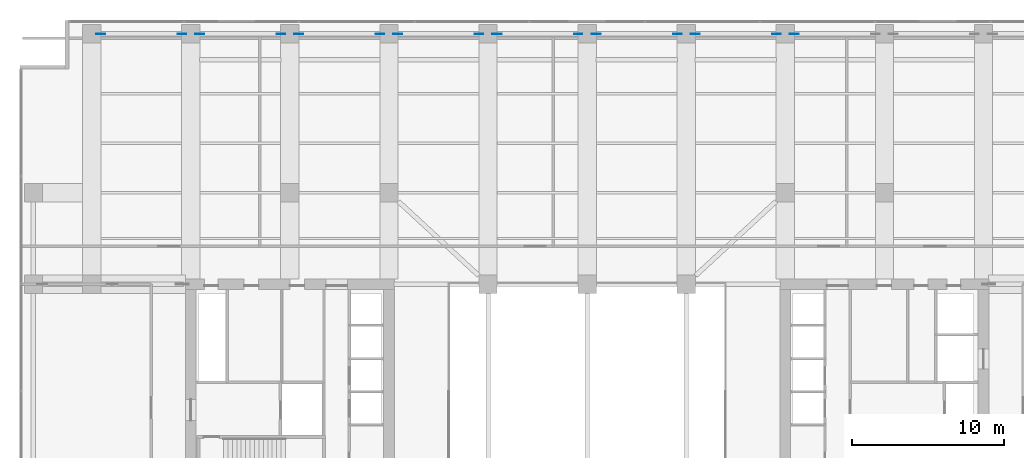
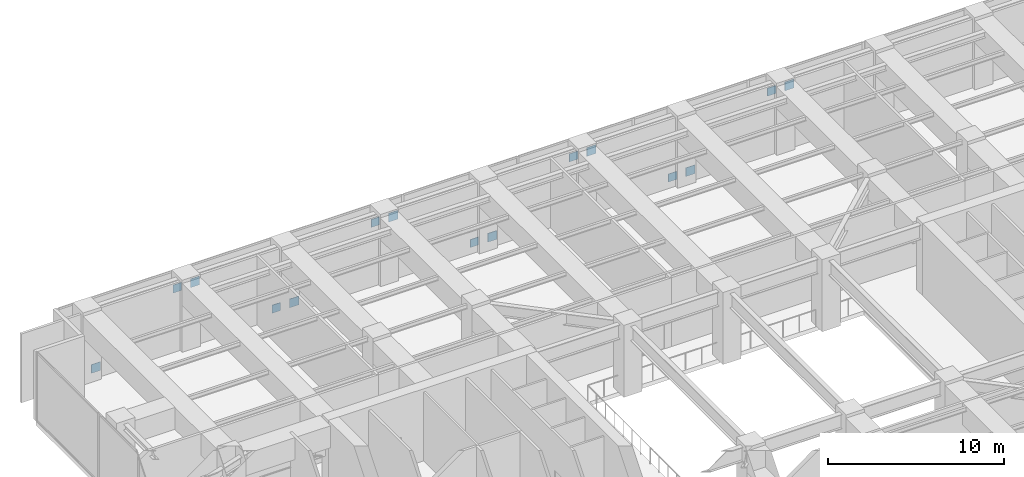
# One storey, part 19 of 28: 15 plates.
"""IFC4 building model written with IfcOpenShell, lengths in metres."""

from ifc_helpers import new_model, si_unit, direction, frame, origin, origin_2d, place, context, subcontext, project, spatial, rectangle, extrude, material, layer, layer_set, type_object, element, save


model = new_model("IFC4")

# Units and contexts
model_context = context("Model", 3, precision=1e-05, world=origin(), true_north=direction((0.0, 1.0)))
body_context = subcontext(model_context, "Body", "Model", "MODEL_VIEW")
ifc_project = project(units=[si_unit("LENGTHUNIT", "METRE"), si_unit("AREAUNIT", "SQUARE_METRE"), si_unit("VOLUMEUNIT", "CUBIC_METRE"), si_unit("PLANEANGLEUNIT", "RADIAN"), si_unit("MASSUNIT", "GRAM", prefix="KILO")], contexts=[model_context])

# Site, building, storey
site_placement = place(None, origin())
site = spatial("IfcSite", under=ifc_project, at=site_placement, CompositionType="ELEMENT")
building_placement = place(site_placement, origin())
building = spatial("IfcBuilding", under=site, at=building_placement, Name="Putna Gate Headquarters", CompositionType="ELEMENT")
storey_placement = place(building_placement, frame((0.0, 0.0, 139.199951171875)))
storey = spatial("IfcBuildingStorey", under=building, at=storey_placement, Name="L34", CompositionType="ELEMENT", Elevation=139.199951171875)

# Plates
ifc_material = material(Name="Steel S460M", Category="steel")
ifc_layer_1 = layer(ifc_material, 0.035888671875)
ifc_layer_set_1 = layer_set([ifc_layer_1], Name="Steel S460M")
plate_type_1 = type_object("IfcPlateType", Name="PLT-NODE-BN1", PredefinedType="SHEET", material=ifc_layer_set_1)
for number, where, z_axis, x_axis, name in (
    (1, (7.0849609375, 49.419921875, 0.14990234375), (0.0, 0.0, 1.0), (1.0, 0.0, 0.0), "L34 Belt Truss Node Gusset Plate N1-E1"),
    (2, (13.5849609375, 49.419921875, 3.822021484375), (0.0, 0.0, 1.0), (1.0, 0.0, 0.0), "L34 Belt Truss Node Gusset Plate N2-E1"),
    (3, (20.0849609375, 49.419921875, 0.14990234375), (0.0, 0.0, 1.0), (1.0, 0.0, 0.0), "L34 Belt Truss Node Gusset Plate N3-E1"),
    (4, (26.5849609375, 49.419921875, 3.822021484375), (0.0, 0.0, 1.0), (1.0, 0.0, 0.0), "L34 Belt Truss Node Gusset Plate N4-E1"),
    (5, (33.0849609375, 49.419921875, 0.14990234375), (0.0, 0.0, 1.0), (1.0, 0.0, 0.0), "L34 Belt Truss Node Gusset Plate N5-E1"),
    (6, (39.5849609375, 49.419921875, 3.822021484375), (0.0, 0.0, 1.0), (1.0, 0.0, 0.0), "L34 Belt Truss Node Gusset Plate N6-E1"),
    (7, (46.0849609375, 49.419921875, 0.14990234375), (0.0, 0.0, 1.0), (1.0, 0.0, 0.0), "L34 Belt Truss Node Gusset Plate N7-E1"),
    (8, (52.5849609375, 49.419921875, 3.822021484375), (0.0, 0.0, 1.0), (1.0, 0.0, 0.0), "L34 Belt Truss Node Gusset Plate N8-E1"),
):
    element("IfcPlate", number, at=place(storey_placement, frame(where, z_axis=z_axis, x_axis=x_axis)), inside=storey, type_object=plate_type_1, Name=name, PredefinedType="SHEET", context=body_context, shape_type="SweptSolid", body=[
        extrude(rectangle(XDim=0.60009765625, YDim=0.035888671875, at=origin_2d()), origin(), (0.0, 0.0, 1.0), 0.60009765625),
    ])
ifc_layer_2 = layer(ifc_material, 0.035888671875)
ifc_layer_set_2 = layer_set([ifc_layer_2], Name="Steel S460M")
plate_type_2 = type_object("IfcPlateType", Name="PLT-NODE-BN2", PredefinedType="SHEET", material=ifc_layer_set_2)
for number, where, z_axis, x_axis, name in (
    (9, (12.4150390625, 49.419921875, 3.84716796875), (0.0, 0.0, 1.0), (1.0, 0.0, 0.0), "L34 Belt Truss Node Gusset Plate N1-E2"),
    (10, (18.9150390625, 49.419921875, 0.1748046875), (0.0, 0.0, 1.0), (1.0, 0.0, 0.0), "L34 Belt Truss Node Gusset Plate N2-E2"),
    (11, (25.4150390625, 49.419921875, 3.84716796875), (0.0, 0.0, 1.0), (1.0, 0.0, 0.0), "L34 Belt Truss Node Gusset Plate N3-E2"),
    (12, (31.9150390625, 49.419921875, 0.1748046875), (0.0, 0.0, 1.0), (1.0, 0.0, 0.0), "L34 Belt Truss Node Gusset Plate N4-E2"),
    (13, (38.4150390625, 49.419921875, 3.84716796875), (0.0, 0.0, 1.0), (1.0, 0.0, 0.0), "L34 Belt Truss Node Gusset Plate N5-E2"),
    (14, (44.9150390625, 49.419921875, 0.1748046875), (0.0, 0.0, 1.0), (1.0, 0.0, 0.0), "L34 Belt Truss Node Gusset Plate N6-E2"),
    (15, (51.4150390625, 49.419921875, 3.84716796875), (0.0, 0.0, 1.0), (1.0, 0.0, 0.0), "L34 Belt Truss Node Gusset Plate N7-E2"),
):
    element("IfcPlate", number, at=place(storey_placement, frame(where, z_axis=z_axis, x_axis=x_axis)), inside=storey, type_object=plate_type_2, Name=name, PredefinedType="SHEET", context=body_context, shape_type="SweptSolid", body=[
        extrude(rectangle(XDim=0.550048828125, YDim=0.035888671875, at=origin_2d()), origin(), (0.0, 0.0, 1.0), 0.550048828125),
    ])

save(model, "model.ifc")
